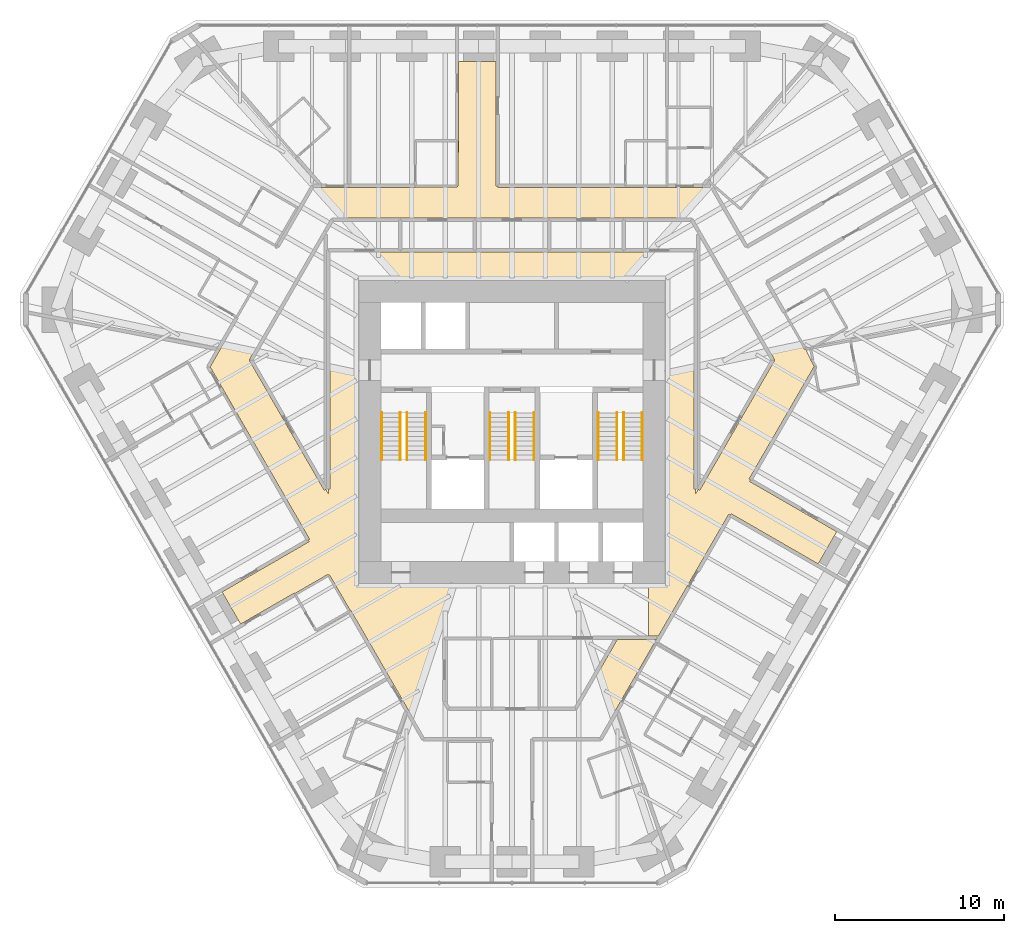
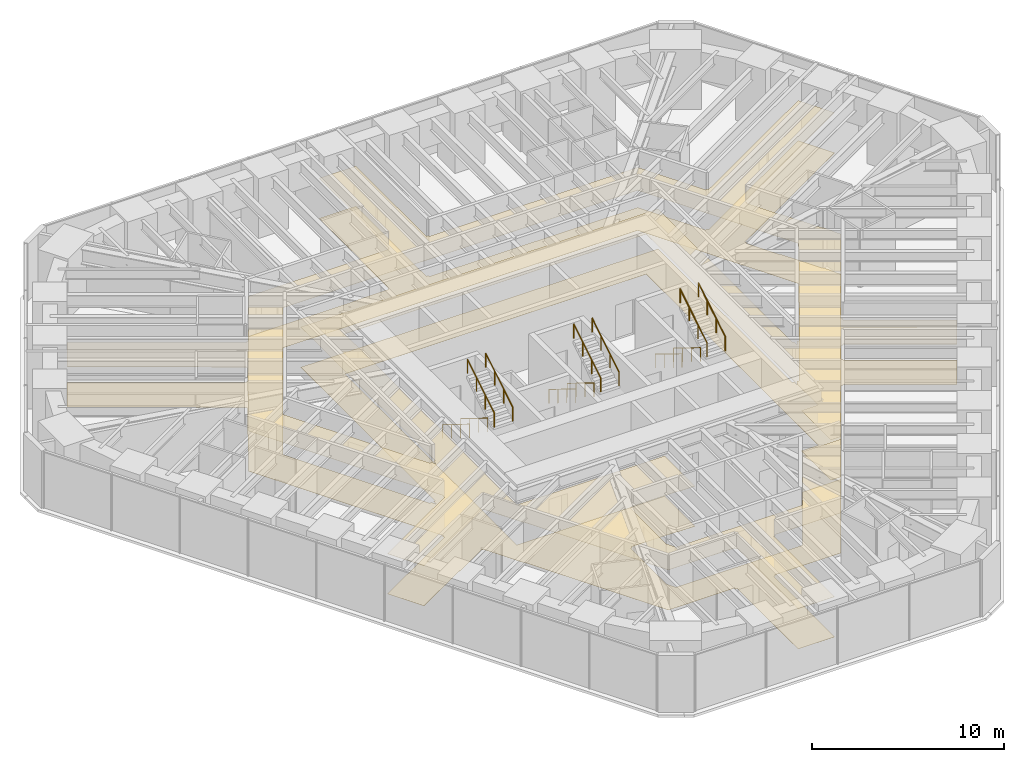
# One storey, part 17 of 17: 12 railings, 2 coverings.
"""IFC4 building model written with IfcOpenShell, lengths in metres."""

from ifc_helpers import new_model, si_unit, direction, frame, origin, origin_2d, place, context, subcontext, project, spatial, polyline, circle, outline, extrude, material, layer, layer_set, type_object, element, save


model = new_model("IFC4")

# Units and contexts
model_context = context("Model", 3, precision=1e-05, world=origin(), true_north=direction((0.0, 1.0)))
body_context = subcontext(model_context, "Body", "Model", "MODEL_VIEW")
ifc_project = project(units=[si_unit("LENGTHUNIT", "METRE"), si_unit("AREAUNIT", "SQUARE_METRE"), si_unit("VOLUMEUNIT", "CUBIC_METRE"), si_unit("PLANEANGLEUNIT", "RADIAN"), si_unit("MASSUNIT", "GRAM", prefix="KILO")], contexts=[model_context])

# Site, building, storey
site_placement = place(None, origin())
site = spatial("IfcSite", under=ifc_project, at=site_placement, CompositionType="ELEMENT")
building_placement = place(site_placement, origin())
building = spatial("IfcBuilding", under=site, at=building_placement, Name="Sandreach Pilgrim Tower", CompositionType="ELEMENT")
storey_placement = place(building_placement, frame((0.0, 0.0, 108.199951171875)))
storey = spatial("IfcBuildingStorey", under=building, at=storey_placement, Name="L26", CompositionType="ELEMENT", Elevation=108.199951171875)

# Coverings
ifc_material_1 = material(Name="Nylon carpet tile on the slab", Category="textile")
ifc_layer_1 = layer(ifc_material_1, 0.008056640625)
ifc_layer_set_1 = layer_set([ifc_layer_1], Name="Carpet tile")
covering_type_1 = type_object("IfcCoveringType", Name="Carpet tile", PredefinedType="FLOORING", material=ifc_layer_set_1)
covering_1_placement = place(storey_placement, origin())
element("IfcCovering", 1, at=covering_1_placement, inside=storey, type_object=covering_type_1, Name="Floor finish 26C Corridor 26", PredefinedType="FLOORING", context=body_context, shape_type="SweptSolid", body=[
    extrude(outline(polyline([(-21.994384765625, 13.96923828125), (-13.90966796875, 9.30322265625), (-13.861083984375, 9.38818359375), (-13.7734375, 9.33984375), (-11.71240234375, 12.889892578125), (-5.699951171875, 12.889892578125), (-4.696044921875, 12.929931640625), (-3.25, 12.929931640625), (-3.25, 12.987548828125), (-3.18994140625, 12.989990234375), (-3.175537109375, 15.659912109375), (-3.14990234375, 15.659912109375), (-3.14990234375, 20.333740234375), (-0.949951171875, 20.333740234375), (-0.949951171875, 12.989990234375), (-0.8349609375, 12.989990234375), (-0.8349609375, 12.889892578125), (11.71240234375, 12.889892578125), (13.7685546875, 9.348388671875), (13.849853515625, 9.395751953125), (13.909912109375, 9.303466796875), (21.99365234375, 13.97021484375), (23.094482421875, 12.063720703125), (15.010009765625, 7.396484375), (15.060546875, 7.298828125), (14.978271484375, 7.25146484375), (16.00341796875, 5.47021484375), (16.04248046875, 5.492431640625), (17.298095703125, 3.31005859375), (17.345947265625, 3.337646484375), (17.358642578125, 3.279541015625), (17.37890625, 3.283447265625), (17.685302734375, 2.68017578125), (17.66796875, 2.670166015625), (17.8603515625, 2.335693359375), (14.010986328125, -4.31689453125), (14.097412109375, -4.366943359375), (14.0400390625, -4.466552734375), (19.1865234375, -7.435791015625), (18.085693359375, -9.342041015625), (12.94873046875, -6.37841796875), (12.900146484375, -6.46240234375), (12.803466796875, -6.409912109375), (8.6513671875, -13.60009765625), (8.050048828125, -13.60009765625), (8.050048828125, -10.52001953125), (9.070068359375, -10.52001953125), (9.070068359375, 7.419921875), (-9.070068359375, 7.419921875), (-9.070068359375, -10.52001953125), (-0.175048828125, -10.52001953125), (-0.175048828125, -13.68994140625), (-1.199951171875, -13.67919921875), (-1.199951171875, -13.64990234375), (-3.989990234375, -13.64990234375), (-3.989990234375, -13.75), (-4.10009765625, -13.75), (-4.10009765625, -17.487060546875), (-3.8076171875, -17.989990234375), (3.8076171875, -17.989990234375), (6.2265625, -13.800048828125), (8.535888671875, -13.800048828125), (5.192138671875, -19.590087890625), (1.215087890625, -19.590087890625), (1.215087890625, -19.68994140625), (1.10009765625, -19.68994140625), (1.10009765625, -26.0322265625), (-1.10009765625, -26.0322265625), (-1.10009765625, -19.699951171875), (-1.199951171875, -19.699951171875), (-1.199951171875, -19.590087890625), (-5.192138671875, -19.590087890625), (-9.5234375, -12.090087890625), (-9.55029296875, -12.10546875), (-10.7880859375, -9.97998046875), (-10.840576171875, -10.009033203125), (-10.8701171875, -9.9580078125), (-12.840087890625, -11.09814453125), (-12.85986328125, -11.0634765625), (-16.033935546875, -12.89599609375), (-17.130615234375, -10.99658203125), (-11.989990234375, -8.026611328125), (-12.045166015625, -7.92578125), (-11.9609375, -7.876953125), (-17.83447265625, 2.300048828125), (-16.17333984375, 5.179931640625), (-16.20947265625, 5.200927734375), (-15.008056640625, 7.280029296875), (-15.05908203125, 7.309326171875), (-15.030029296875, 7.36181640625), (-17.28662109375, 8.677978515625), (-17.27001953125, 8.70654296875), (-23.09375, 12.064697265625), (-21.994384765625, 13.96923828125)]), holes=[polyline([(-15.525390625, 2.699951171875), (-11.0966796875, -4.97998046875), (-11.004638671875, -4.927001953125), (-10.85009765625, -5.19482421875), (-10.85009765625, -4.909912109375), (-10.75, -4.909912109375), (-10.75, 9.10009765625), (10.75, 9.10009765625), (10.75, -4.909912109375), (10.85009765625, -4.909912109375), (10.85009765625, -5.19482421875), (11.004638671875, -4.927001953125), (11.0966796875, -4.97998046875), (15.525390625, 2.699951171875), (10.677490234375, 11.090087890625), (-10.677490234375, 11.090087890625), (-15.525390625, 2.699951171875)])]), origin(), (0.0, 0.0, 1.0), 0.008056640625),
])
ifc_material_2 = material(Name="Gypsum board suspended ceiling on a steel grid", Category="steel")
ifc_layer_2 = layer(ifc_material_2, 0.012939453125)
ifc_layer_set_2 = layer_set([ifc_layer_2], Name="Gypsum board suspended ceiling")
covering_type_2 = type_object("IfcCoveringType", Name="Gypsum board suspended ceiling", PredefinedType="CEILING", material=ifc_layer_set_2)
covering_2_placement = place(storey_placement, frame((0.0, 0.0, 2.550048828125)))
element("IfcCovering", 2, at=covering_2_placement, inside=storey, type_object=covering_type_2, Name="Ceiling 26C Corridor 26", PredefinedType="CEILING", context=body_context, shape_type="SweptSolid", body=[
    extrude(outline(polyline([(-23.09375, 12.064697265625), (-21.994384765625, 13.96923828125), (-13.90966796875, 9.30322265625), (-13.861083984375, 9.38818359375), (-13.7734375, 9.33984375), (-11.71240234375, 12.889892578125), (-5.699951171875, 12.889892578125), (-5.699951171875, 12.91845703125), (-3.25, 12.929931640625), (-3.247802734375, 12.989990234375), (-3.18994140625, 12.989990234375), (-3.18994140625, 14.568115234375), (-3.14990234375, 15.659912109375), (-3.14990234375, 20.333740234375), (-0.949951171875, 20.333740234375), (-0.949951171875, 12.989990234375), (-0.8349609375, 12.989990234375), (-0.8349609375, 12.889892578125), (11.71240234375, 12.889892578125), (13.7685546875, 9.348388671875), (13.849853515625, 9.395751953125), (13.909912109375, 9.303466796875), (21.99365234375, 13.97021484375), (23.094482421875, 12.063720703125), (15.010009765625, 7.396484375), (15.060546875, 7.298828125), (14.978271484375, 7.25146484375), (16.00341796875, 5.47021484375), (16.04248046875, 5.492431640625), (17.298095703125, 3.31005859375), (17.345947265625, 3.337646484375), (17.358642578125, 3.279541015625), (17.37890625, 3.283447265625), (17.685302734375, 2.68017578125), (17.66796875, 2.670166015625), (17.8603515625, 2.335693359375), (14.010986328125, -4.31689453125), (14.097412109375, -4.366943359375), (14.0400390625, -4.466552734375), (19.1865234375, -7.435791015625), (18.085693359375, -9.342041015625), (12.94873046875, -6.37841796875), (12.900146484375, -6.46240234375), (12.803466796875, -6.409912109375), (8.6513671875, -13.60009765625), (8.050048828125, -13.60009765625), (8.050048828125, -10.52001953125), (9.070068359375, -10.52001953125), (9.070068359375, 7.419921875), (-9.070068359375, 7.419921875), (-9.070068359375, -10.52001953125), (-0.175048828125, -10.52001953125), (-0.175048828125, -13.68994140625), (-1.199951171875, -13.67919921875), (-1.199951171875, -13.64990234375), (-3.989990234375, -13.64990234375), (-3.989990234375, -13.75), (-4.10009765625, -13.75), (-4.10009765625, -17.487060546875), (-3.8076171875, -17.989990234375), (3.8076171875, -17.989990234375), (6.2265625, -13.800048828125), (8.535888671875, -13.800048828125), (5.192138671875, -19.590087890625), (1.215087890625, -19.590087890625), (1.215087890625, -19.68994140625), (1.10009765625, -19.68994140625), (1.10009765625, -26.0322265625), (-1.10009765625, -26.0322265625), (-1.10009765625, -19.699951171875), (-1.199951171875, -19.699951171875), (-1.199951171875, -19.590087890625), (-5.192138671875, -19.590087890625), (-9.5234375, -12.090087890625), (-9.55029296875, -12.10546875), (-10.7880859375, -9.97998046875), (-10.840576171875, -10.009033203125), (-10.8701171875, -9.9580078125), (-12.840087890625, -11.09814453125), (-12.85986328125, -11.0634765625), (-16.033935546875, -12.89599609375), (-17.130615234375, -10.99658203125), (-11.989990234375, -8.026611328125), (-12.045166015625, -7.92578125), (-11.9609375, -7.876953125), (-17.83447265625, 2.300048828125), (-16.17333984375, 5.179931640625), (-16.193359375, 5.191650390625), (-15.008056640625, 7.280029296875), (-15.058837890625, 7.31201171875), (-15.030029296875, 7.36181640625), (-16.36474609375, 8.1357421875), (-17.27001953125, 8.70654296875), (-23.09375, 12.064697265625)]), holes=[polyline([(-15.525390625, 2.699951171875), (-11.0966796875, -4.97998046875), (-11.004638671875, -4.927001953125), (-10.85009765625, -5.19482421875), (-10.85009765625, -4.909912109375), (-10.75, -4.909912109375), (-10.75, 9.10009765625), (10.75, 9.10009765625), (10.75, -4.909912109375), (10.85009765625, -4.909912109375), (10.85009765625, -5.19482421875), (11.004638671875, -4.927001953125), (11.0966796875, -4.97998046875), (15.525390625, 2.699951171875), (10.677490234375, 11.090087890625), (-10.677490234375, 11.090087890625), (-15.525390625, 2.699951171875)])]), origin(), (0.0, 0.0, 1.0), 0.012939453125),
])

# Railings
ifc_material_3 = material(Name="Stainless steel tube", Category="steel")
railing_type = type_object("IfcRailingType", Name="Stair handrail", PredefinedType="HANDRAIL", material=ifc_material_3)
for number, where, name in (
    (3, (-6.60009765625, -0.39990234375, 0.1728515625), "Handrail ST1 L26 flight 1"),
    (4, (-7.699951171875, -0.39990234375, 0.1728515625), "Handrail ST1 L26 flight 1"),
):
    element("IfcRailing", number, at=place(storey_placement, frame(where)), inside=storey, type_object=railing_type, Name=name, PredefinedType="HANDRAIL", context=body_context, shape_type="SweptSolid", body=[
        extrude(circle(Radius=0.02392578125, at=origin_2d()), frame((0.0, 0.0, 0.8759765625), z_axis=(0.0, -0.851089632645, 0.525020415988), x_axis=(1.0, 0.0, 0.0)), (0.0, 0.0, 1.0), 3.2900390625),
        extrude(circle(Radius=0.02099609375, at=origin_2d()), origin(), (0.0, 0.0, 1.0), 0.851806640625),
        extrude(circle(Radius=0.02099609375, at=origin_2d()), frame((0.0, -0.933349609375, 0.57568359375)), (0.0, 0.0, 1.0), 0.851806640625),
        extrude(circle(Radius=0.02099609375, at=origin_2d()), frame((0.0, -1.86669921875, 1.151611328125)), (0.0, 0.0, 1.0), 0.851806640625),
        extrude(circle(Radius=0.02099609375, at=origin_2d()), frame((0.0, -2.800048828125, 1.727294921875)), (0.0, 0.0, 1.0), 0.851806640625),
    ])
for number, where, name in (
    (5, (-6.199951171875, -3.199951171875, 2.07275390625), "Handrail ST1 L26 flight 2"),
    (6, (-5.10009765625, -3.199951171875, 2.07275390625), "Handrail ST1 L26 flight 2"),
):
    element("IfcRailing", number, at=place(storey_placement, frame(where)), inside=storey, type_object=railing_type, Name=name, PredefinedType="HANDRAIL", context=body_context, shape_type="SweptSolid", body=[
        extrude(circle(Radius=0.02392578125, at=origin_2d()), frame((0.0, 0.0, 0.8759765625), z_axis=(0.0, 0.851089632645, 0.525020415988), x_axis=(-1.0, 0.0, 0.0)), (0.0, 0.0, 1.0), 3.2900390625),
        extrude(circle(Radius=0.02099609375, at=origin_2d()), origin(), (0.0, 0.0, 1.0), 0.851806640625),
        extrude(circle(Radius=0.02099609375, at=origin_2d()), frame((0.0, 0.933349609375, 0.57568359375)), (0.0, 0.0, 1.0), 0.851806640625),
        extrude(circle(Radius=0.02099609375, at=origin_2d()), frame((0.0, 1.86669921875, 1.151611328125)), (0.0, 0.0, 1.0), 0.851806640625),
        extrude(circle(Radius=0.02099609375, at=origin_2d()), frame((0.0, 2.800048828125, 1.727294921875)), (0.0, 0.0, 1.0), 0.851806640625),
    ])
for number, where, name in (
    (7, (-0.199951171875, -0.39990234375, 0.1728515625), "Handrail ST3 L26 flight 1"),
    (8, (-1.300048828125, -0.39990234375, 0.1728515625), "Handrail ST3 L26 flight 1"),
):
    element("IfcRailing", number, at=place(storey_placement, frame(where)), inside=storey, type_object=railing_type, Name=name, PredefinedType="HANDRAIL", context=body_context, shape_type="SweptSolid", body=[
        extrude(circle(Radius=0.02392578125, at=origin_2d()), frame((0.0, 0.0, 0.8759765625), z_axis=(0.0, -0.851089632645, 0.525020415988), x_axis=(1.0, 0.0, 0.0)), (0.0, 0.0, 1.0), 3.2900390625),
        extrude(circle(Radius=0.02099609375, at=origin_2d()), origin(), (0.0, 0.0, 1.0), 0.851806640625),
        extrude(circle(Radius=0.02099609375, at=origin_2d()), frame((0.0, -0.933349609375, 0.57568359375)), (0.0, 0.0, 1.0), 0.851806640625),
        extrude(circle(Radius=0.02099609375, at=origin_2d()), frame((0.0, -1.86669921875, 1.151611328125)), (0.0, 0.0, 1.0), 0.851806640625),
        extrude(circle(Radius=0.02099609375, at=origin_2d()), frame((0.0, -2.800048828125, 1.727294921875)), (0.0, 0.0, 1.0), 0.851806640625),
    ])
for number, where, name in (
    (9, (0.199951171875, -3.199951171875, 2.07275390625), "Handrail ST3 L26 flight 2"),
    (10, (1.300048828125, -3.199951171875, 2.07275390625), "Handrail ST3 L26 flight 2"),
):
    element("IfcRailing", number, at=place(storey_placement, frame(where)), inside=storey, type_object=railing_type, Name=name, PredefinedType="HANDRAIL", context=body_context, shape_type="SweptSolid", body=[
        extrude(circle(Radius=0.02392578125, at=origin_2d()), frame((0.0, 0.0, 0.8759765625), z_axis=(0.0, 0.851089632645, 0.525020415988), x_axis=(-1.0, 0.0, 0.0)), (0.0, 0.0, 1.0), 3.2900390625),
        extrude(circle(Radius=0.02099609375, at=origin_2d()), origin(), (0.0, 0.0, 1.0), 0.851806640625),
        extrude(circle(Radius=0.02099609375, at=origin_2d()), frame((0.0, 0.933349609375, 0.57568359375)), (0.0, 0.0, 1.0), 0.851806640625),
        extrude(circle(Radius=0.02099609375, at=origin_2d()), frame((0.0, 1.86669921875, 1.151611328125)), (0.0, 0.0, 1.0), 0.851806640625),
        extrude(circle(Radius=0.02099609375, at=origin_2d()), frame((0.0, 2.800048828125, 1.727294921875)), (0.0, 0.0, 1.0), 0.851806640625),
    ])
for number, where, name in (
    (11, (6.199951171875, -0.39990234375, 0.1728515625), "Handrail ST2 L26 flight 1"),
    (12, (5.10009765625, -0.39990234375, 0.1728515625), "Handrail ST2 L26 flight 1"),
):
    element("IfcRailing", number, at=place(storey_placement, frame(where)), inside=storey, type_object=railing_type, Name=name, PredefinedType="HANDRAIL", context=body_context, shape_type="SweptSolid", body=[
        extrude(circle(Radius=0.02392578125, at=origin_2d()), frame((0.0, 0.0, 0.8759765625), z_axis=(0.0, -0.851089632645, 0.525020415988), x_axis=(1.0, 0.0, 0.0)), (0.0, 0.0, 1.0), 3.2900390625),
        extrude(circle(Radius=0.02099609375, at=origin_2d()), origin(), (0.0, 0.0, 1.0), 0.851806640625),
        extrude(circle(Radius=0.02099609375, at=origin_2d()), frame((0.0, -0.933349609375, 0.57568359375)), (0.0, 0.0, 1.0), 0.851806640625),
        extrude(circle(Radius=0.02099609375, at=origin_2d()), frame((0.0, -1.86669921875, 1.151611328125)), (0.0, 0.0, 1.0), 0.851806640625),
        extrude(circle(Radius=0.02099609375, at=origin_2d()), frame((0.0, -2.800048828125, 1.727294921875)), (0.0, 0.0, 1.0), 0.851806640625),
    ])
for number, where, name in (
    (13, (6.60009765625, -3.199951171875, 2.07275390625), "Handrail ST2 L26 flight 2"),
    (14, (7.699951171875, -3.199951171875, 2.07275390625), "Handrail ST2 L26 flight 2"),
):
    element("IfcRailing", number, at=place(storey_placement, frame(where)), inside=storey, type_object=railing_type, Name=name, PredefinedType="HANDRAIL", context=body_context, shape_type="SweptSolid", body=[
        extrude(circle(Radius=0.02392578125, at=origin_2d()), frame((0.0, 0.0, 0.8759765625), z_axis=(0.0, 0.851089632645, 0.525020415988), x_axis=(-1.0, 0.0, 0.0)), (0.0, 0.0, 1.0), 3.2900390625),
        extrude(circle(Radius=0.02099609375, at=origin_2d()), origin(), (0.0, 0.0, 1.0), 0.851806640625),
        extrude(circle(Radius=0.02099609375, at=origin_2d()), frame((0.0, 0.933349609375, 0.57568359375)), (0.0, 0.0, 1.0), 0.851806640625),
        extrude(circle(Radius=0.02099609375, at=origin_2d()), frame((0.0, 1.86669921875, 1.151611328125)), (0.0, 0.0, 1.0), 0.851806640625),
        extrude(circle(Radius=0.02099609375, at=origin_2d()), frame((0.0, 2.800048828125, 1.727294921875)), (0.0, 0.0, 1.0), 0.851806640625),
    ])

save(model, "model.ifc")
